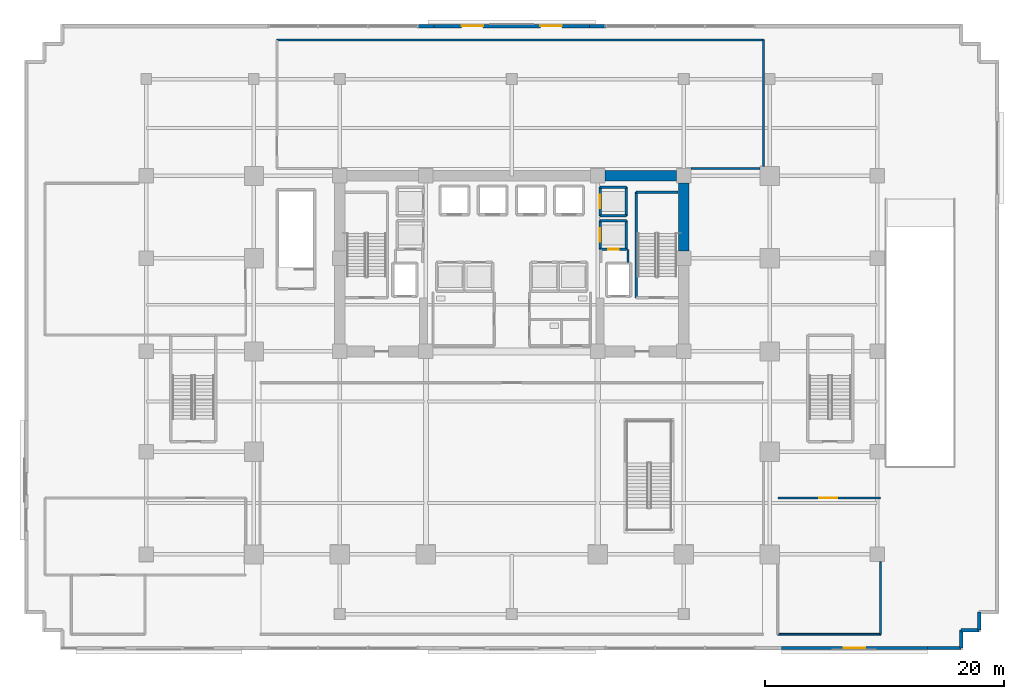
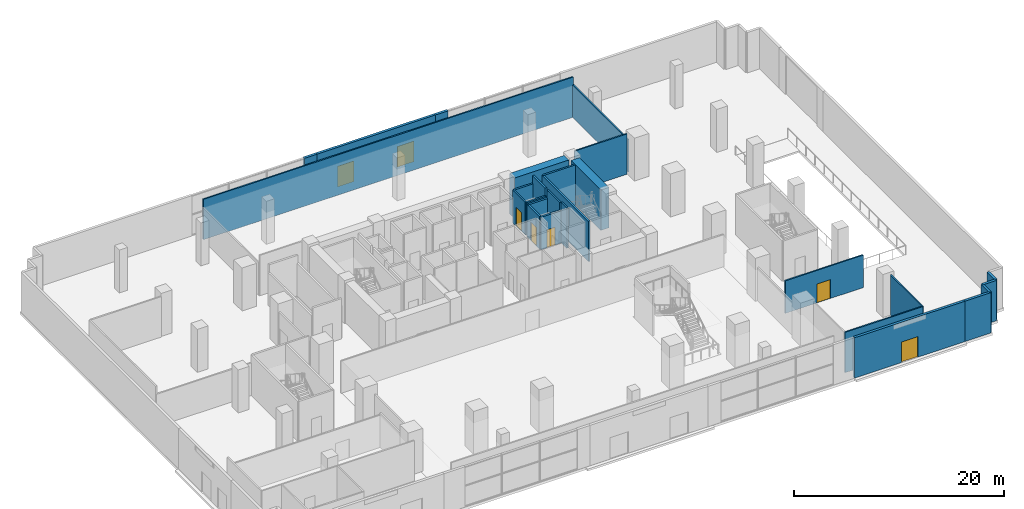
# One storey, part 16 of 27: 27 walls, 7 doors, 7 openings.
"""IFC4 building model written with IfcOpenShell, lengths in metres."""

import ifcopenshell
import ifcopenshell.guid

model = None  # the IFC model being written
_history = None  # IfcOwnerHistory: only IFC2X3 demands one
_inside = {}  # id of a spatial element -> (the spatial element, [elements in it])
_under = {}  # id of a project, library or spatial element -> (it, [spatial elements below it])
_declared = {}  # id of a project -> (the project, [libraries it declares])
_typed = {}  # id of a type object -> (the type object, [elements of that type])
_made_of = {}  # id of a material, layer set ... -> (it, [elements and type objects made of it])


def new_model(schema):
    """Start an empty IFC model of exactly this schema.

    Asked for "IFC4X3", IfcOpenShell would pick the latest addendum, in which some entities
    have other attributes; the version numbers below select the first issue.
    IFC2X3 requires an IfcOwnerHistory on every rooted entity: one is made here for all.
    """
    global model, _history
    if schema == "IFC4X3":
        model = ifcopenshell.file(schema_version=(4, 3, 0, 0))
    else:
        model = ifcopenshell.file(schema=schema)
    _inside.clear()
    _under.clear()
    _declared.clear()
    _typed.clear()
    _made_of.clear()
    _history = None
    if model.schema == "IFC2X3":
        org = make("IfcOrganization", Name="unknown")
        user = make(
            "IfcPersonAndOrganization",
            ThePerson=make("IfcPerson", FamilyName="unknown"),
            TheOrganization=org,
        )
        app = make(
            "IfcApplication",
            ApplicationDeveloper=org,
            Version="unknown",
            ApplicationFullName="unknown",
            ApplicationIdentifier="unknown",
        )
        _history = make(
            "IfcOwnerHistory",
            OwningUser=user,
            OwningApplication=app,
            ChangeAction="ADDED",
            CreationDate=0,
        )
    return model


def make(cls, **values):
    """One entity of the class cls with the attributes given. An attribute that is None is left unset."""
    return model.create_entity(
        cls, **{name: value for name, value in values.items() if value is not None}
    )


def rooted(cls, **values):
    """An entity with a GlobalId (a new one), such as an element, a storey or a relation."""
    return make(cls, GlobalId=ifcopenshell.guid.new(), OwnerHistory=_history, **values)


def si_unit(unit_type, name, prefix=None):
    """IfcSIUnit, for example si_unit("LENGTHUNIT", "METRE", prefix="MILLI")."""
    return make("IfcSIUnit", UnitType=unit_type, Prefix=prefix, Name=name)


def assignment(units):
    """IfcUnitAssignment: the units of a project."""
    return None if units is None else make("IfcUnitAssignment", Units=units)


def point(xyz):
    """IfcCartesianPoint."""
    return None if xyz is None else make("IfcCartesianPoint", Coordinates=xyz)


def direction(xyz):
    """IfcDirection."""
    return None if xyz is None else make("IfcDirection", DirectionRatios=xyz)


def frame(location, z_axis=None, x_axis=None):
    """IfcAxis2Placement3D, a coordinate frame: its origin and axes. An axis left out is left unset."""
    return make(
        "IfcAxis2Placement3D",
        Location=point(location),
        Axis=direction(z_axis),
        RefDirection=direction(x_axis),
    )


def frame_2d(location, x_axis=None):
    """IfcAxis2Placement2D, a coordinate frame in the plane: its origin and x axis."""
    return make(
        "IfcAxis2Placement2D", Location=point(location), RefDirection=direction(x_axis)
    )


def origin():
    """The frame at (0, 0, 0) with its axes left unset."""
    return frame((0.0, 0.0, 0.0))


def place(relative_to, where):
    """IfcLocalPlacement: puts the frame where relative to a parent placement (None: the world)."""
    return make(
        "IfcLocalPlacement", PlacementRelTo=relative_to, RelativePlacement=where
    )


def context(
    kind, dimensions, precision=None, world=None, true_north=None, identifier=None
):
    """IfcGeometricRepresentationContext, for example the 3D "Model" context."""
    return make(
        "IfcGeometricRepresentationContext",
        ContextIdentifier=identifier,
        ContextType=kind,
        CoordinateSpaceDimension=dimensions,
        Precision=precision,
        WorldCoordinateSystem=world,
        TrueNorth=true_north,
    )


def subcontext(parent, identifier, kind, view, scale=None):
    """IfcGeometricRepresentationSubContext, for example "Body" below "Model"."""
    return make(
        "IfcGeometricRepresentationSubContext",
        ContextIdentifier=identifier,
        ContextType=kind,
        ParentContext=parent,
        TargetScale=scale,
        TargetView=view,
    )


def project(units=None, contexts=None):
    """IfcProject with its units and contexts."""
    return rooted(
        "IfcProject",
        Name="project",
        RepresentationContexts=contexts,
        UnitsInContext=assignment(units),
    )


def spatial(cls, under=None, at=None, **own):
    """A site, building, storey or space (cls), placed at a placement, below another one or the project."""
    s = rooted(cls, ObjectPlacement=at, **own)
    if under is not None:
        _under.setdefault(under.id(), (under, []))[1].append(s)
    return s


def profile(cls, at=None, kind="AREA", **sizes):
    """A parametric profile (cls). Its sizes go by their IFC names, for example OverallWidth=200.0."""
    return make(cls, ProfileType=kind, Position=at, **sizes)


def rectangle(**sizes):
    """IfcRectangleProfileDef."""
    return profile("IfcRectangleProfileDef", **sizes)


def extrude(swept, where, along, depth):
    """IfcExtrudedAreaSolid: the profile swept, set in the frame where, extruded along a direction by depth."""
    return make(
        "IfcExtrudedAreaSolid",
        SweptArea=swept,
        Position=where,
        ExtrudedDirection=direction(along),
        Depth=depth,
    )


def shape(context_of_items, identifier, shape_type, items):
    """IfcShapeRepresentation: the items that make up one representation, for example the "Body"."""
    return make(
        "IfcShapeRepresentation",
        ContextOfItems=context_of_items,
        RepresentationIdentifier=identifier,
        RepresentationType=shape_type,
        Items=items,
    )


def source(mapping_origin, context_of_items, identifier, shape_type, items):
    """IfcRepresentationMap: a shape defined once, which mapped items show again and again."""
    return make(
        "IfcRepresentationMap",
        MappingOrigin=mapping_origin,
        MappedRepresentation=shape(context_of_items, identifier, shape_type, items),
    )


def transform(
    local_origin,
    x_axis=None,
    y_axis=None,
    z_axis=None,
    scale=None,
    scale2=None,
    scale3=None,
    uniform=True,
):
    """IfcCartesianTransformationOperator3D, or its non-uniform kind. x_axis, y_axis, z_axis: its Axis1, 2, 3."""
    if uniform:
        return make(
            "IfcCartesianTransformationOperator3D",
            Axis1=direction(x_axis),
            Axis2=direction(y_axis),
            LocalOrigin=point(local_origin),
            Scale=scale,
            Axis3=direction(z_axis),
        )
    return make(
        "IfcCartesianTransformationOperator3DnonUniform",
        Axis1=direction(x_axis),
        Axis2=direction(y_axis),
        LocalOrigin=point(local_origin),
        Scale=scale,
        Axis3=direction(z_axis),
        Scale2=scale2,
        Scale3=scale3,
    )


def mapped(mapping_source, mapping_target):
    """IfcMappedItem: shows the shape of a source again, moved by a transform."""
    return make(
        "IfcMappedItem", MappingSource=mapping_source, MappingTarget=mapping_target
    )


def material(Name=None, Category=None):
    """IfcMaterial."""
    return make("IfcMaterial", Name=Name, Category=Category)


def layer(
    of_material, thickness, ventilated=None, Name=None, Category=None, Priority=None
):
    """IfcMaterialLayer: one layer of a wall or slab, of a material (None: an air gap)."""
    return make(
        "IfcMaterialLayer",
        Material=of_material,
        LayerThickness=thickness,
        IsVentilated=ventilated,
        Name=Name,
        Category=Category,
        Priority=Priority,
    )


def layer_set(layers, Name=None):
    """IfcMaterialLayerSet."""
    return make("IfcMaterialLayerSet", MaterialLayers=layers, LayerSetName=Name)


def made_of(thing, what):
    """Note that an element or type object is made of a material, layer set ...; save() writes the relation."""
    if what is not None:
        _made_of.setdefault(what.id(), (what, []))[1].append(thing)
    return thing


def type_object(cls, material=None, **own):
    """A type object (cls), such as IfcWallType, which elements share."""
    return made_of(rooted(cls, **own), material)


def element(
    cls,
    number,
    at=None,
    inside=None,
    cuts=None,
    type_object=None,
    material=None,
    context=None,
    identifier="Body",
    shape_type=None,
    held_by="IfcProductDefinitionShape",
    body=None,
    shapes=None,
    **own,
):
    """One element of the class cls, such as IfcWall. Its Tag is "e" and its number.

    at: its placement. inside: the storey or other place that contains it. cuts: it is an
    opening in that element (IfcRelVoidsElement). A single representation is given by context,
    identifier, shape_type and body (its items); several are given by shapes. held_by: the class
    of the entity that holds the representations. save() writes the other relations.
    """
    e = rooted(cls, Tag="e%d" % number, ObjectPlacement=at, **own)
    if body is not None:
        shapes = [shape(context, identifier, shape_type, body)]
    if shapes is not None:
        e.Representation = make(held_by, Representations=shapes)
    if inside is not None:
        _inside.setdefault(inside.id(), (inside, []))[1].append(e)
    if cuts is not None:
        rooted(
            "IfcRelVoidsElement", RelatingBuildingElement=cuts, RelatedOpeningElement=e
        )
    if type_object is not None:
        _typed.setdefault(type_object.id(), (type_object, []))[1].append(e)
    return made_of(e, material)


def fill(opening, filler):
    """IfcRelFillsElement: the door or window that sits in an opening."""
    return rooted(
        "IfcRelFillsElement",
        RelatingOpeningElement=opening,
        RelatedBuildingElement=filler,
    )


def aggregate(whole, parts):
    """IfcRelAggregates: a whole, such as a stair, and the parts it consists of."""
    return rooted("IfcRelAggregates", RelatingObject=whole, RelatedObjects=parts)


def save(model, path):
    """Write the relations noted so far, then the file.

    IfcRelAggregates (storeys below a building ...), IfcRelContainedInSpatialStructure (elements
    in a storey), IfcRelDefinesByType, IfcRelAssociatesMaterial and IfcRelDeclares: one each for
    every whole, place, type object, material and project.
    """
    for whole, parts in _under.values():
        aggregate(whole, parts)
    for where, things in _inside.values():
        rooted(
            "IfcRelContainedInSpatialStructure",
            RelatedElements=things,
            RelatingStructure=where,
        )
    for kind, things in _typed.values():
        rooted("IfcRelDefinesByType", RelatedObjects=things, RelatingType=kind)
    for what, things in _made_of.values():
        rooted("IfcRelAssociatesMaterial", RelatedObjects=things, RelatingMaterial=what)
    for by, libraries in _declared.values():
        rooted("IfcRelDeclares", RelatingContext=by, RelatedDefinitions=libraries)
    model.write(path)


model = new_model("IFC4")

# Units and contexts
model_context = context("Model", 3, precision=1e-05, world=origin(), true_north=direction((0.0, 1.0)))
body_context = subcontext(model_context, "Body", "Model", "MODEL_VIEW")
ifc_project = project(units=[si_unit("LENGTHUNIT", "METRE"), si_unit("AREAUNIT", "SQUARE_METRE"), si_unit("VOLUMEUNIT", "CUBIC_METRE"), si_unit("PLANEANGLEUNIT", "RADIAN"), si_unit("MASSUNIT", "GRAM", prefix="KILO")], contexts=[model_context])

# Site, building, storey
site_placement = place(None, origin())
site = spatial("IfcSite", under=ifc_project, at=site_placement, CompositionType="ELEMENT")
building_placement = place(site_placement, origin())
building = spatial("IfcBuilding", under=site, at=building_placement, Name="Zarnakvel Exchange Tower", CompositionType="ELEMENT")
storey_placement = place(building_placement, origin())
storey = spatial("IfcBuildingStorey", under=building, at=storey_placement, Name="L00", CompositionType="ELEMENT", Elevation=0.0)

# Walls
ifc_material_1 = material(Name="Concrete C80/95", Category="concrete")
ifc_layer_1 = layer(ifc_material_1, 0.89990234375)
ifc_layer_set_1 = layer_set([ifc_layer_1], Name="Concrete C80/95")
wall_type_1 = type_object("IfcWallType", Name="CW-C1", PredefinedType="SHEAR", material=ifc_layer_set_1)
wall_1_placement = place(storey_placement, frame((7.800048828125, 13.5, 0.0), z_axis=(0.0, 0.0, 1.0), x_axis=(1.0, 0.0, 0.0)))
element("IfcWall", 1, at=wall_1_placement, inside=storey, type_object=wall_type_1, Name="L00 Rear Core Shear Wall N3 (CW-C1)", PredefinedType="SHEAR", context=body_context, shape_type="SweptSolid", body=[
    extrude(rectangle(XDim=6.0, YDim=0.89990234375, at=frame_2d((3.0, 0.0))), origin(), (0.0, 0.0, 1.0), 4.699951171875),
])
wall_2_placement = place(storey_placement, frame((14.39990234375, 7.199951171875, 0.0), z_axis=(0.0, 0.0, 1.0), x_axis=(0.0, 1.0, 0.0)))
element("IfcWall", 2, at=wall_2_placement, inside=storey, type_object=wall_type_1, Name="L00 Rear Core Shear Wall E2 (CW-C1)", PredefinedType="SHEAR", context=body_context, shape_type="SweptSolid", body=[
    extrude(rectangle(XDim=5.699951171875, YDim=0.89990234375, at=frame_2d((2.85009765625, 0.0))), origin(), (0.0, 0.0, 1.0), 4.699951171875),
])

# Wall, openings, doors
ifc_material_2 = material(Name="Precast concrete C40/50", Category="concrete")
ifc_layer_2 = layer(ifc_material_2, 0.280029296875)
ifc_layer_set_2 = layer_set([ifc_layer_2], Name="Precast concrete C40/50")
wall_type_2 = type_object("IfcWallType", Name="EW-01", PredefinedType="SOLIDWALL", material=ifc_layer_set_2)
wall_3_placement = place(storey_placement, frame((-6.5, 26.0400390625, 0.0), z_axis=(0.0, 0.0, 1.0), x_axis=(1.0, 0.0, 0.0)))
wall_3 = element("IfcWall", 3, at=wall_3_placement, inside=storey, type_object=wall_type_2, Name="L00 Exterior Precast Spandrel Wall EW-L00-NC (EW-01)", PredefinedType="SOLIDWALL", context=body_context, shape_type="SweptSolid", body=[
    extrude(rectangle(XDim=13.0, YDim=0.280029296875, at=frame_2d((6.5, 0.0))), origin(), (0.0, 0.0, 1.0), 4.699951171875),
])
opening_1_placement = place(wall_3_placement, frame((2.300048828125, 0.0, 0.0)))
opening_1 = element("IfcOpeningElement", 4, at=opening_1_placement, cuts=wall_3, Name="Opening ED-05", PredefinedType="OPENING", context=body_context, shape_type="SweptSolid", body=[
    extrude(rectangle(XDim=1.800048828125, YDim=2.39990234375, at=frame_2d((0.89990234375, 1.199951171875))), frame((0.0, 0.14990234375, 0.0), z_axis=(0.0, -1.0, 0.0), x_axis=(1.0, 0.0, 0.0)), (0.0, 0.0, 1.0), 0.300048828125),
])
opening_2_placement = place(wall_3_placement, frame((8.89990234375, 0.0, 0.0)))
opening_2 = element("IfcOpeningElement", 5, at=opening_2_placement, cuts=wall_3, Name="Opening ED-06", PredefinedType="OPENING", context=body_context, shape_type="SweptSolid", body=[
    extrude(rectangle(XDim=1.800048828125, YDim=2.39990234375, at=frame_2d((0.89990234375, 1.199951171875))), frame((0.0, 0.14990234375, 0.0), z_axis=(0.0, -1.0, 0.0), x_axis=(1.0, 0.0, 0.0)), (0.0, 0.0, 1.0), 0.300048828125),
])
ifc_material_3 = material(Name="Architectural Bronze Anodised Aluminium", Category="aluminium")
door_type_1 = type_object("IfcDoorType", Name="DT-02", OperationType="NOTDEFINED", PredefinedType="DOOR", material=ifc_material_3)
shared_shape_1 = source(origin(), body_context, "Body", "SweptSolid", [
    extrude(rectangle(XDim=1.800048828125, YDim=2.39990234375, at=frame_2d((0.89990234375, 1.199951171875))), frame((0.0, 0.02490234375, 0.0), z_axis=(0.0, -1.0, 0.0), x_axis=(1.0, 0.0, 0.0)), (0.0, 0.0, 1.0), 0.050048828125),
])
door_1_placement = place(opening_1_placement, origin())
door_1 = element("IfcDoor", 6, at=door_1_placement, inside=storey, type_object=door_type_1, Name="L00 North Drop-Off Final Exit Door ED-05", OperationType="DOUBLE_DOOR_SINGLE_SWING", OverallHeight=2.39990234375, OverallWidth=1.800048828125, PredefinedType="DOOR", context=body_context, shape_type="MappedRepresentation", body=[
    mapped(shared_shape_1, transform((0.0, 0.0, 0.0), x_axis=(1.0, 0.0, 0.0), y_axis=(0.0, 1.0, 0.0), z_axis=(0.0, 0.0, 1.0), scale=1.0)),
])
fill(opening_1, door_1)
door_2_placement = place(opening_2_placement, origin())
door_2 = element("IfcDoor", 7, at=door_2_placement, inside=storey, type_object=door_type_1, Name="L00 North Drop-Off Final Exit Door ED-06", OperationType="DOUBLE_DOOR_SINGLE_SWING", OverallHeight=2.39990234375, OverallWidth=1.800048828125, PredefinedType="DOOR", context=body_context, shape_type="MappedRepresentation", body=[
    mapped(shared_shape_1, transform((0.0, 0.0, 0.0), x_axis=(1.0, 0.0, 0.0), y_axis=(0.0, 1.0, 0.0), z_axis=(0.0, 0.0, 1.0), scale=1.0)),
])
fill(opening_2, door_2)

# Wall, opening, door
wall_4_placement = place(storey_placement, frame((34.800048828125, -26.0400390625, 0.0), z_axis=(0.0, 0.0, 1.0), x_axis=(-1.0, 0.0, 0.0)))
wall_4 = element("IfcWall", 8, at=wall_4_placement, inside=storey, type_object=wall_type_2, Name="L00 Exterior Precast Spandrel Wall EW-L00-SE (EW-01)", PredefinedType="SOLIDWALL", context=body_context, shape_type="SweptSolid", body=[
    extrude(rectangle(XDim=12.199951171875, YDim=0.280029296875, at=frame_2d((6.10009765625, 0.0))), origin(), (0.0, 0.0, 1.0), 4.699951171875),
])
opening_3_placement = place(wall_4_placement, frame((5.199951171875, 0.0, 0.0)))
opening_3 = element("IfcOpeningElement", 9, at=opening_3_placement, cuts=wall_4, Name="Opening ED-04", PredefinedType="OPENING", context=body_context, shape_type="SweptSolid", body=[
    extrude(rectangle(XDim=1.800048828125, YDim=2.39990234375, at=frame_2d((0.89990234375, 1.199951171875))), frame((0.0, 0.14990234375, 0.0), z_axis=(0.0, -1.0, 0.0), x_axis=(1.0, 0.0, 0.0)), (0.0, 0.0, 1.0), 0.300048828125),
])
door_3_placement = place(opening_3_placement, origin())
door_3 = element("IfcDoor", 10, at=door_3_placement, inside=storey, type_object=door_type_1, Name="L00 East Retail & Concourse Exit Door ED-04", OperationType="DOUBLE_DOOR_SINGLE_SWING", OverallHeight=2.39990234375, OverallWidth=1.800048828125, PredefinedType="DOOR", context=body_context, shape_type="MappedRepresentation", body=[
    mapped(shared_shape_1, transform((0.0, 0.0, 0.0), x_axis=(1.0, 0.0, 0.0), y_axis=(0.0, 1.0, 0.0), z_axis=(0.0, 0.0, 1.0), scale=1.0)),
])
fill(opening_3, door_3)

# Walls
for number, where, z_axis, x_axis, name in (
    (11, (-6.5, 26.0400390625, 0.0), (0.0, 0.0, 1.0), (-1.0, 0.0, 0.0), "L00 Exterior Precast Spandrel Wall EWC-L00-08 (EW-01)"),
    (12, (7.89501953125, 26.0400390625, 0.0), (0.0, 0.0, 1.0), (-1.0, 0.0, 0.0), "L00 Exterior Precast Spandrel Wall EWC-L00-09 (EW-01)"),
):
    element("IfcWall", number, at=place(storey_placement, frame(where, z_axis=z_axis, x_axis=x_axis)), inside=storey, type_object=wall_type_2, Name=name, PredefinedType="SOLIDWALL", context=body_context, shape_type="SweptSolid", body=[
        extrude(rectangle(XDim=1.39501953125, YDim=0.280029296875, at=frame_2d((0.697509765625, 0.0))), origin(), (0.0, 0.0, 1.0), 4.699951171875),
    ])
for number, where, z_axis, x_axis, name in (
    (13, (39.139892578125, -24.5400390625, 0.0), (0.0, 0.0, 1.0), (0.0, 1.0, 0.0), "L00 Exterior Precast Spandrel Wall EWC-L00-18 (EW-01)"),
    (14, (37.639892578125, -24.5400390625, 0.0), (0.0, 0.0, 1.0), (1.0, 0.0, 0.0), "L00 Exterior Precast Spandrel Wall EWC-L00-19 (EW-01)"),
    (15, (37.639892578125, -26.0400390625, 0.0), (0.0, 0.0, 1.0), (0.0, 1.0, 0.0), "L00 Exterior Precast Spandrel Wall EWC-L00-20 (EW-01)"),
):
    element("IfcWall", number, at=place(storey_placement, frame(where, z_axis=z_axis, x_axis=x_axis)), inside=storey, type_object=wall_type_2, Name=name, PredefinedType="SOLIDWALL", context=body_context, shape_type="SweptSolid", body=[
        extrude(rectangle(XDim=1.5, YDim=0.280029296875, at=frame_2d((0.75, 0.0))), origin(), (0.0, 0.0, 1.0), 4.699951171875),
    ])
wall_5_placement = place(storey_placement, frame((34.800048828125, -26.0400390625, 0.0), z_axis=(0.0, 0.0, 1.0), x_axis=(1.0, 0.0, 0.0)))
element("IfcWall", 16, at=wall_5_placement, inside=storey, type_object=wall_type_2, Name="L00 Exterior Precast Spandrel Wall EWC-L00-21 (EW-01)", PredefinedType="SOLIDWALL", context=body_context, shape_type="SweptSolid", body=[
    extrude(rectangle(XDim=2.83984375, YDim=0.280029296875, at=frame_2d((1.419921875, 0.0))), origin(), (0.0, 0.0, 1.0), 4.699951171875),
])
ifc_material_4 = material(Name="Fire-Rated Gypsum Stud Partition", Category="gypsum")
ifc_layer_3 = layer(ifc_material_4, 0.14990234375)
ifc_layer_set_3 = layer_set([ifc_layer_3], Name="Fire-Rated Gypsum Stud Partition")
wall_type_3 = type_object("IfcWallType", Name="PT-01", PredefinedType="PARTITIONING", material=ifc_layer_set_3)
wall_6_placement = place(storey_placement, frame((30.8798828125, -24.8798828125, 0.0), z_axis=(0.0, 0.0, 1.0), x_axis=(-1.0, 0.0, 0.0)))
element("IfcWall", 17, at=wall_6_placement, inside=storey, type_object=wall_type_3, Name="L00 Partition Wall PWALL-L00-052 (PT-01)", PredefinedType="PARTITIONING", context=body_context, shape_type="SweptSolid", body=[
    extrude(rectangle(XDim=8.599853515625, YDim=0.14990234375, at=frame_2d((4.2998046875, 0.0))), origin(), (0.0, 0.0, 1.0), 4.699951171875),
])

# Wall, opening, door
wall_7_placement = place(storey_placement, frame((22.280029296875, -13.47998046875, 0.0), z_axis=(0.0, 0.0, 1.0), x_axis=(1.0, 0.0, 0.0)))
wall_7 = element("IfcWall", 18, at=wall_7_placement, inside=storey, type_object=wall_type_3, Name="L00 Partition Wall PWALL-L00-053 (PT-01)", PredefinedType="PARTITIONING", context=body_context, shape_type="SweptSolid", body=[
    extrude(rectangle(XDim=8.599853515625, YDim=0.14990234375, at=frame_2d((4.2998046875, 0.0))), origin(), (0.0, 0.0, 1.0), 3.7900390625),
])
opening_4_placement = place(wall_7_placement, frame((3.469970703125, 0.0, 0.0)))
opening_4 = element("IfcOpeningElement", 19, at=opening_4_placement, cuts=wall_7, Name="Opening D-L00-16", PredefinedType="OPENING", context=body_context, shape_type="SweptSolid", body=[
    extrude(rectangle(XDim=1.5, YDim=2.199951171875, at=frame_2d((0.75, 1.10009765625))), frame((0.0, 0.0849609375, 0.0), z_axis=(0.0, -1.0, 0.0), x_axis=(1.0, 0.0, 0.0)), (0.0, 0.0, 1.0), 0.169921875),
])
ifc_material_5 = material(Name="Timber Acoustic Veneer", Category="wood")
door_type_2 = type_object("IfcDoorType", Name="DT-03", OperationType="NOTDEFINED", PredefinedType="DOOR", material=ifc_material_5)
shared_shape_2 = source(origin(), body_context, "Body", "SweptSolid", [
    extrude(rectangle(XDim=1.5, YDim=2.199951171875, at=frame_2d((0.75, 1.10009765625))), frame((0.0, 0.02490234375, 0.0), z_axis=(0.0, -1.0, 0.0), x_axis=(1.0, 0.0, 0.0)), (0.0, 0.0, 1.0), 0.050048828125),
])
door_4_placement = place(opening_4_placement, origin())
door_4 = element("IfcDoor", 20, at=door_4_placement, inside=storey, type_object=door_type_2, Name="L00 Exchange Bookstore and Retail Suite East Door D-L00-16", OperationType="DOUBLE_DOOR_SINGLE_SWING", OverallHeight=2.199951171875, OverallWidth=1.5, PredefinedType="DOOR", context=body_context, shape_type="MappedRepresentation", body=[
    mapped(shared_shape_2, transform((0.0, 0.0, 0.0), x_axis=(1.0, 0.0, 0.0), y_axis=(0.0, 1.0, 0.0), z_axis=(0.0, 0.0, 1.0), scale=1.0)),
])
fill(opening_4, door_4)

# Walls
wall_8_placement = place(storey_placement, frame((30.8798828125, -18.820068359375, 0.0), z_axis=(0.0, 0.0, 1.0), x_axis=(0.0, -1.0, 0.0)))
element("IfcWall", 21, at=wall_8_placement, inside=storey, type_object=wall_type_3, Name="L00 Partition Wall PWALL-L00-055 (PT-01)", PredefinedType="PARTITIONING", context=body_context, shape_type="SweptSolid", body=[
    extrude(rectangle(XDim=6.059814453125, YDim=0.14990234375, at=frame_2d((3.02978515625, 0.0))), origin(), (0.0, 0.0, 1.0), 4.699951171875),
])
wall_9_placement = place(storey_placement, frame((20.780029296875, 14.1201171875, 0.0), z_axis=(0.0, 0.0, 1.0), x_axis=(-1.0, 0.0, 0.0)))
element("IfcWall", 22, at=wall_9_placement, inside=storey, type_object=wall_type_3, Name="L00 Partition Wall PWALL-L00-057 (PT-01)", PredefinedType="PARTITIONING", context=body_context, shape_type="SweptSolid", body=[
    extrude(rectangle(XDim=5.760009765625, YDim=0.14990234375, at=frame_2d((2.8798828125, 0.0))), origin(), (0.0, 0.0, 1.0), 4.699951171875),
])
wall_10_placement = place(storey_placement, frame((-19.669921875, 24.8798828125, 0.0), z_axis=(0.0, 0.0, 1.0), x_axis=(1.0, 0.0, 0.0)))
element("IfcWall", 23, at=wall_10_placement, inside=storey, type_object=wall_type_3, Name="L00 Partition Wall PWALL-L00-058 (PT-01)", PredefinedType="PARTITIONING", context=body_context, shape_type="SweptSolid", body=[
    extrude(rectangle(XDim=40.75, YDim=0.14990234375, at=frame_2d((20.375, 0.0))), origin(), (0.0, 0.0, 1.0), 4.699951171875),
])
wall_11_placement = place(storey_placement, frame((21.080078125, 24.8798828125, 0.0), z_axis=(0.0, 0.0, 1.0), x_axis=(0.0, -1.0, 0.0)))
element("IfcWall", 24, at=wall_11_placement, inside=storey, type_object=wall_type_3, Name="L00 Partition Wall PWALL-L00-060 (PT-01)", PredefinedType="PARTITIONING", context=body_context, shape_type="SweptSolid", body=[
    extrude(rectangle(XDim=10.559814453125, YDim=0.14990234375, at=frame_2d((5.27978515625, 0.0))), origin(), (0.0, 0.0, 1.0), 3.7900390625),
])
ifc_layer_4 = layer(ifc_material_4, 0.179931640625)
ifc_layer_set_4 = layer_set([ifc_layer_4], Name="Fire-Rated Gypsum Stud Partition")
wall_type_4 = type_object("IfcWallType", Name="PT-02", PredefinedType="PARTITIONING", material=ifc_layer_set_4)
wall_12_placement = place(storey_placement, frame((9.72998046875, 7.330078125, 0.0), z_axis=(0.0, 0.0, 1.0), x_axis=(0.0, -1.0, 0.0)))
element("IfcWall", 25, at=wall_12_placement, inside=storey, type_object=wall_type_4, Name="L00 Partition Wall PWALL-L00-010 (PT-02)", PredefinedType="PARTITIONING", context=body_context, shape_type="SweptSolid", body=[
    extrude(rectangle(XDim=1.090087890625, YDim=0.179931640625, at=frame_2d((0.544921875, 0.0))), origin(), (0.0, 0.0, 1.0), 4.699951171875),
])

# Wall, opening, door
ifc_material_6 = material(Name="Concrete C40/50", Category="concrete")
ifc_layer_5 = layer(ifc_material_6, 0.199951171875)
ifc_layer_set_5 = layer_set([ifc_layer_5], Name="Concrete C40/50")
wall_type_5 = type_object("IfcWallType", Name="SW-01", PredefinedType="SOLIDWALL", material=ifc_layer_set_5)
wall_13_placement = place(storey_placement, frame((9.60009765625, 7.35009765625, 0.0), z_axis=(0.0, 0.0, 1.0), x_axis=(-1.0, 0.0, 0.0)))
wall_13 = element("IfcWall", 26, at=wall_13_placement, inside=storey, type_object=wall_type_5, Name="L00 PL-11 Hoistway Wall South", PredefinedType="SOLIDWALL", context=body_context, shape_type="SweptSolid", body=[
    extrude(rectangle(XDim=2.2001953125, YDim=0.199951171875, at=frame_2d((1.10009765625, 0.0))), origin(), (0.0, 0.0, 1.0), 3.7900390625),
])
opening_5_placement = place(wall_13_placement, frame((0.659912109375, 0.0, 0.0)))
opening_5 = element("IfcOpeningElement", 27, at=opening_5_placement, cuts=wall_13, Name="Opening D-L00-19", PredefinedType="OPENING", context=body_context, shape_type="SweptSolid", body=[
    extrude(rectangle(XDim=0.8798828125, YDim=2.10009765625, at=frame_2d((0.43994140625, 1.050048828125))), frame((0.0, 0.10986328125, 0.0), z_axis=(0.0, -1.0, 0.0), x_axis=(1.0, 0.0, 0.0)), (0.0, 0.0, 1.0), 0.219970703125),
])
ifc_material_7 = material(Name="Painted Galvanised Steel S355", Category="steel")
door_type_3 = type_object("IfcDoorType", Name="DT-08", OperationType="NOTDEFINED", PredefinedType="DOOR", material=ifc_material_7)
shared_shape_3 = source(origin(), body_context, "Body", "SweptSolid", [
    extrude(rectangle(XDim=0.8798828125, YDim=2.10009765625, at=frame_2d((0.43994140625, 1.050048828125))), frame((0.0, 0.02490234375, 0.0), z_axis=(0.0, -1.0, 0.0), x_axis=(1.0, 0.0, 0.0)), (0.0, 0.0, 1.0), 0.050048828125),
])
door_5_placement = place(opening_5_placement, origin())
door_5 = element("IfcDoor", 28, at=door_5_placement, inside=storey, type_object=door_type_3, Name="L00 Telecom Riser Door D-L00-19", OperationType="SINGLE_SWING_LEFT", OverallHeight=2.10009765625, OverallWidth=0.8798828125, PredefinedType="DOOR", context=body_context, shape_type="MappedRepresentation", body=[
    mapped(shared_shape_3, transform((0.0, 0.0, 0.0), x_axis=(1.0, 0.0, 0.0), y_axis=(0.0, 1.0, 0.0), z_axis=(0.0, 0.0, 1.0), scale=1.0)),
])
fill(opening_5, door_5)

# Wall
wall_14_placement = place(storey_placement, frame((7.39990234375, 9.75, 0.0), z_axis=(0.0, 0.0, 1.0), x_axis=(1.0, 0.0, 0.0)))
element("IfcWall", 29, at=wall_14_placement, inside=storey, type_object=wall_type_5, Name="L00 PL-11 Hoistway Wall North", PredefinedType="SOLIDWALL", context=body_context, shape_type="SweptSolid", body=[
    extrude(rectangle(XDim=2.2001953125, YDim=0.199951171875, at=frame_2d((1.10009765625, 0.0))), origin(), (0.0, 0.0, 1.0), 3.7900390625),
])

# Wall, opening, door
wall_15_placement = place(storey_placement, frame((7.39990234375, 7.35009765625, 0.0), z_axis=(0.0, 0.0, 1.0), x_axis=(0.0, 1.0, 0.0)))
wall_15 = element("IfcWall", 30, at=wall_15_placement, inside=storey, type_object=wall_type_5, Name="L00 PL-11 Hoistway Wall West", PredefinedType="SOLIDWALL", context=body_context, shape_type="SweptSolid", body=[
    extrude(rectangle(XDim=2.39990234375, YDim=0.199951171875, at=frame_2d((1.199951171875, 0.0))), origin(), (0.0, 0.0, 1.0), 3.7900390625),
])
opening_6_placement = place(wall_15_placement, frame((0.64990234375, 0.0, 0.0)))
opening_6 = element("IfcOpeningElement", 31, at=opening_6_placement, cuts=wall_15, Name="Opening LD-PL-11-L00", PredefinedType="OPENING", context=body_context, shape_type="SweptSolid", body=[
    extrude(rectangle(XDim=1.10009765625, YDim=2.199951171875, at=frame_2d((0.550048828125, 1.10009765625))), frame((0.0, 0.10986328125, 0.0), z_axis=(0.0, -1.0, 0.0), x_axis=(1.0, 0.0, 0.0)), (0.0, 0.0, 1.0), 0.219970703125),
])
door_type_4 = type_object("IfcDoorType", Name="LDT-02", OperationType="NOTDEFINED", PredefinedType="DOOR", material=ifc_material_3)
shared_shape_4 = source(origin(), body_context, "Body", "SweptSolid", [
    extrude(rectangle(XDim=1.10009765625, YDim=2.199951171875, at=frame_2d((0.550048828125, 1.10009765625))), frame((0.0, 0.02490234375, 0.0), z_axis=(0.0, -1.0, 0.0), x_axis=(1.0, 0.0, 0.0)), (0.0, 0.0, 1.0), 0.050048828125),
])
door_6_placement = place(opening_6_placement, origin())
door_6 = element("IfcDoor", 32, at=door_6_placement, inside=storey, type_object=door_type_4, Name="L00 PL-11 Lift Landing Door LD-PL-11-L00", OperationType="DOUBLE_DOOR_SLIDING", OverallHeight=2.199951171875, OverallWidth=1.10009765625, PredefinedType="DOOR", context=body_context, shape_type="MappedRepresentation", body=[
    mapped(shared_shape_4, transform((0.0, 0.0, 0.0), x_axis=(1.0, 0.0, 0.0), y_axis=(0.0, 1.0, 0.0), z_axis=(0.0, 0.0, 1.0), scale=1.0)),
])
fill(opening_6, door_6)

# Walls
wall_16_placement = place(storey_placement, frame((9.60009765625, 9.75, 0.0), z_axis=(0.0, 0.0, 1.0), x_axis=(0.0, -1.0, 0.0)))
element("IfcWall", 33, at=wall_16_placement, inside=storey, type_object=wall_type_5, Name="L00 PL-11 Hoistway Wall East", PredefinedType="SOLIDWALL", context=body_context, shape_type="SweptSolid", body=[
    extrude(rectangle(XDim=2.39990234375, YDim=0.199951171875, at=frame_2d((1.199951171875, 0.0))), origin(), (0.0, 0.0, 1.0), 4.699951171875),
])
for number, where, z_axis, x_axis, name in (
    (34, (9.60009765625, 10.14990234375, 0.0), (0.0, 0.0, 1.0), (-1.0, 0.0, 0.0), "L00 PL-12 Hoistway Wall South"),
    (35, (7.39990234375, 12.550048828125, 0.0), (0.0, 0.0, 1.0), (1.0, 0.0, 0.0), "L00 PL-12 Hoistway Wall North"),
):
    element("IfcWall", number, at=place(storey_placement, frame(where, z_axis=z_axis, x_axis=x_axis)), inside=storey, type_object=wall_type_5, Name=name, PredefinedType="SOLIDWALL", context=body_context, shape_type="SweptSolid", body=[
        extrude(rectangle(XDim=2.2001953125, YDim=0.199951171875, at=frame_2d((1.10009765625, 0.0))), origin(), (0.0, 0.0, 1.0), 3.7900390625),
    ])

# Wall, opening, door
wall_17_placement = place(storey_placement, frame((7.39990234375, 10.14990234375, 0.0), z_axis=(0.0, 0.0, 1.0), x_axis=(0.0, 1.0, 0.0)))
wall_17 = element("IfcWall", 36, at=wall_17_placement, inside=storey, type_object=wall_type_5, Name="L00 PL-12 Hoistway Wall West", PredefinedType="SOLIDWALL", context=body_context, shape_type="SweptSolid", body=[
    extrude(rectangle(XDim=2.400146484375, YDim=0.199951171875, at=frame_2d((1.2001953125, 0.0))), origin(), (0.0, 0.0, 1.0), 3.7900390625),
])
opening_7_placement = place(wall_17_placement, frame((0.64990234375, 0.0, 0.0)))
opening_7 = element("IfcOpeningElement", 37, at=opening_7_placement, cuts=wall_17, Name="Opening LD-PL-12-L00", PredefinedType="OPENING", context=body_context, shape_type="SweptSolid", body=[
    extrude(rectangle(XDim=1.10009765625, YDim=2.199951171875, at=frame_2d((0.550048828125, 1.10009765625))), frame((0.0, 0.10986328125, 0.0), z_axis=(0.0, -1.0, 0.0), x_axis=(1.0, 0.0, 0.0)), (0.0, 0.0, 1.0), 0.219970703125),
])
door_7_placement = place(opening_7_placement, origin())
door_7 = element("IfcDoor", 38, at=door_7_placement, inside=storey, type_object=door_type_4, Name="L00 PL-12 Lift Landing Door LD-PL-12-L00", OperationType="DOUBLE_DOOR_SLIDING", OverallHeight=2.199951171875, OverallWidth=1.10009765625, PredefinedType="DOOR", context=body_context, shape_type="MappedRepresentation", body=[
    mapped(shared_shape_4, transform((0.0, 0.0, 0.0), x_axis=(1.0, 0.0, 0.0), y_axis=(0.0, 1.0, 0.0), z_axis=(0.0, 0.0, 1.0), scale=1.0)),
])
fill(opening_7, door_7)

# Walls
wall_18_placement = place(storey_placement, frame((9.60009765625, 12.550048828125, 0.0), z_axis=(0.0, 0.0, 1.0), x_axis=(0.0, -1.0, 0.0)))
element("IfcWall", 39, at=wall_18_placement, inside=storey, type_object=wall_type_5, Name="L00 PL-12 Hoistway Wall East", PredefinedType="SOLIDWALL", context=body_context, shape_type="SweptSolid", body=[
    extrude(rectangle(XDim=2.400146484375, YDim=0.199951171875, at=frame_2d((1.2001953125, 0.0))), origin(), (0.0, 0.0, 1.0), 4.699951171875),
])
ifc_layer_6 = layer(ifc_material_6, 0.199951171875)
ifc_layer_set_6 = layer_set([ifc_layer_6], Name="Concrete C40/50")
wall_type_6 = type_object("IfcWallType", Name="SW-02", PredefinedType="SOLIDWALL", material=ifc_layer_set_6)
wall_19_placement = place(storey_placement, frame((10.409912109375, 12.1298828125, 0.0), z_axis=(0.0, 0.0, 1.0), x_axis=(1.0, 0.0, 0.0)))
element("IfcWall", 40, at=wall_19_placement, inside=storey, type_object=wall_type_6, Name="L00 Stairwell Core Wall PWALL-L00-005 (SW-02)", PredefinedType="SOLIDWALL", context=body_context, shape_type="SweptSolid", body=[
    extrude(rectangle(XDim=3.52001953125, YDim=0.199951171875, at=frame_2d((1.760009765625, 0.0))), origin(), (0.0, 0.0, 1.0), 4.699951171875),
])
wall_20_placement = place(storey_placement, frame((10.409912109375, 3.2900390625, 0.0), z_axis=(0.0, 0.0, 1.0), x_axis=(0.0, 1.0, 0.0)))
element("IfcWall", 41, at=wall_20_placement, inside=storey, type_object=wall_type_6, Name="L00 Stairwell Core Wall PWALL-L00-006 (SW-02)", PredefinedType="SOLIDWALL", context=body_context, shape_type="SweptSolid", body=[
    extrude(rectangle(XDim=8.83984375, YDim=0.199951171875, at=frame_2d((4.419921875, 0.0))), origin(), (0.0, 0.0, 1.0), 4.699951171875),
])

save(model, "model.ifc")
